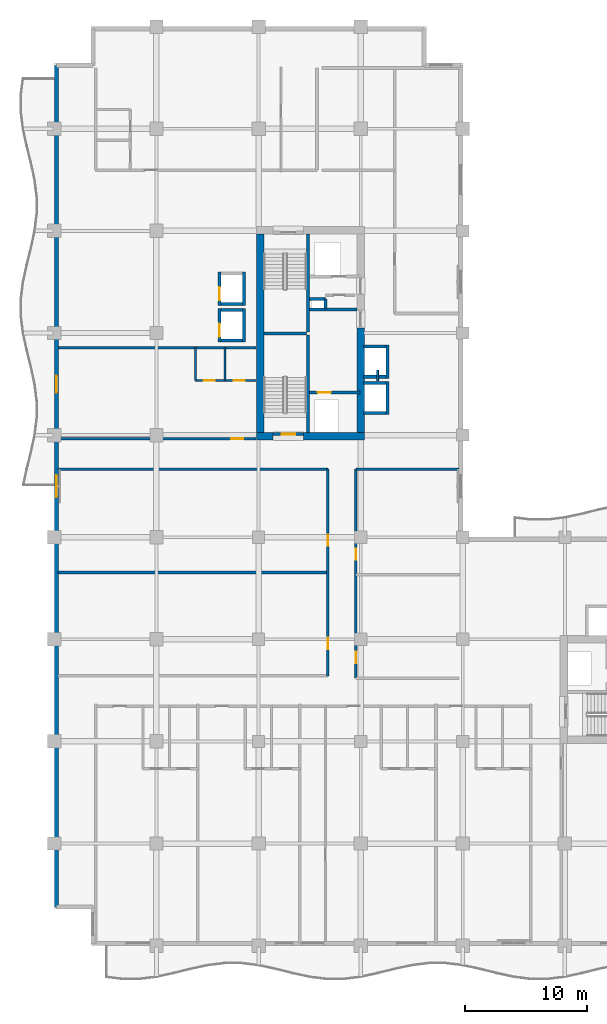
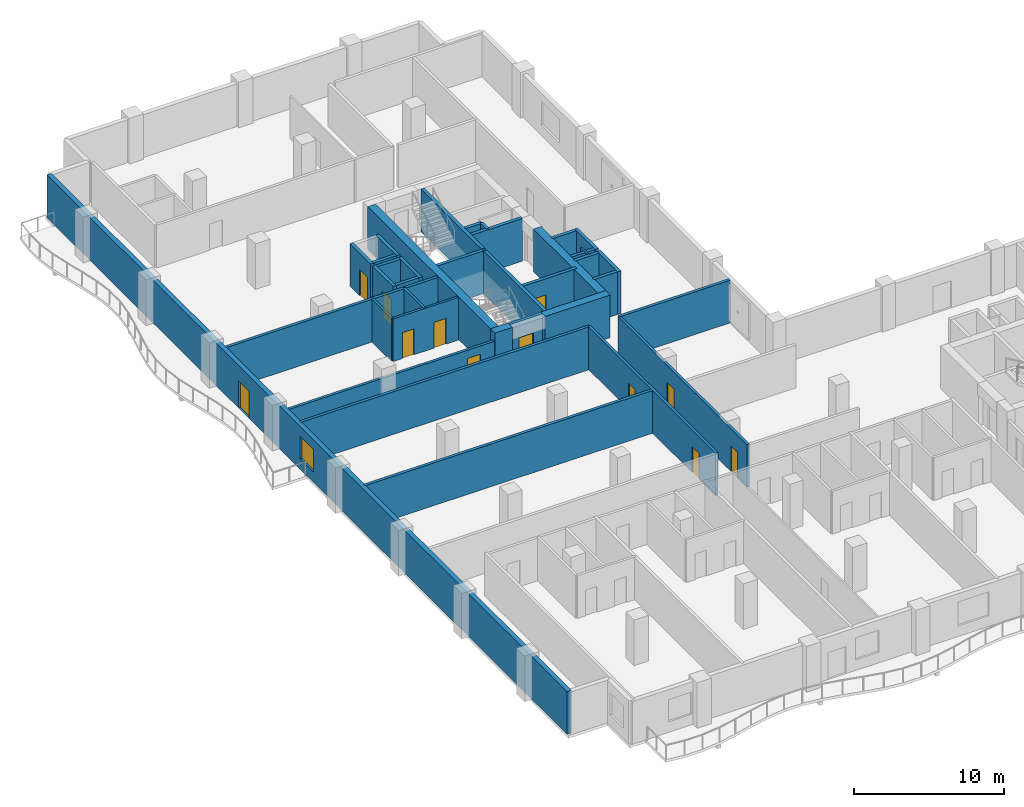
# One storey, part 6 of 14: 37 walls, 12 doors, 1 window, 13 openings.
"""IFC4 building model written with IfcOpenShell, lengths in metres."""

from ifc_helpers import new_model, si_unit, direction, frame, frame_2d, origin, place, context, subcontext, project, spatial, rectangle, extrude, material, layer, layer_set, type_object, element, fill, save


model = new_model("IFC4")

# Units and contexts
model_context = context("Model", 3, precision=1e-05, world=origin(), true_north=direction((0.0, 1.0)))
body_context = subcontext(model_context, "Body", "Model", "MODEL_VIEW")
ifc_project = project(units=[si_unit("LENGTHUNIT", "METRE"), si_unit("AREAUNIT", "SQUARE_METRE"), si_unit("VOLUMEUNIT", "CUBIC_METRE"), si_unit("PLANEANGLEUNIT", "RADIAN"), si_unit("MASSUNIT", "GRAM", prefix="KILO")], contexts=[model_context])

# Site, building, storey
site_placement = place(None, origin())
site = spatial("IfcSite", under=ifc_project, at=site_placement, CompositionType="ELEMENT")
building_placement = place(site_placement, origin())
building = spatial("IfcBuilding", under=site, at=building_placement, Name="Koriwani Terraces Tower", CompositionType="ELEMENT")
storey_placement = place(building_placement, frame((0.0, 0.0, 208.699951171875)))
storey = spatial("IfcBuildingStorey", under=building, at=storey_placement, Name="L51", CompositionType="ELEMENT", Elevation=208.699951171875)

# Walls
ifc_material_1 = material(Name="Concrete C60/75", Category="concrete")
ifc_layer_1 = layer(ifc_material_1, 0.60009765625, Name="Concrete C60/75")
ifc_layer_set_1 = layer_set([ifc_layer_1], Name="Concrete C60/75")
wall_type_1 = type_object("IfcWallType", Name="WALL_CORE_RC_600", PredefinedType="SHEAR", material=ifc_layer_set_1)
wall_1_placement = place(storey_placement, frame((16.64990234375, 41.89990234375, 0.0), z_axis=(0.0, 0.0, 1.0), x_axis=(1.0, 0.0, 0.0)))
element("IfcWall", 1, at=wall_1_placement, inside=storey, type_object=wall_type_1, Name="L51 West Split Core Shear Wall S1", PredefinedType="SHEAR", context=body_context, shape_type="SweptSolid", body=[
    extrude(rectangle(XDim=1.35009765625, YDim=0.60009765625, at=frame_2d((0.675048828125, 0.0))), origin(), (0.0, 0.0, 1.0), 3.469970703125),
])
wall_2_placement = place(storey_placement, frame((20.5, 41.89990234375, 0.0), z_axis=(0.0, 0.0, 1.0), x_axis=(1.0, 0.0, 0.0)))
element("IfcWall", 2, at=wall_2_placement, inside=storey, type_object=wall_type_1, Name="L51 West Split Core Shear Wall S2", PredefinedType="SHEAR", context=body_context, shape_type="SweptSolid", body=[
    extrude(rectangle(XDim=5.0, YDim=0.60009765625, at=frame_2d((2.5, 0.0))), origin(), (0.0, 0.0, 1.0), 3.469970703125),
])
wall_3_placement = place(storey_placement, frame((16.949951171875, 42.199951171875, 0.0), z_axis=(0.0, 0.0, 1.0), x_axis=(0.0, 1.0, 0.0)))
element("IfcWall", 3, at=wall_3_placement, inside=storey, type_object=wall_type_1, Name="L51 West Split Core Shear Wall W1", PredefinedType="SHEAR", context=body_context, shape_type="SweptSolid", body=[
    extrude(rectangle(XDim=16.35009765625, YDim=0.60009765625, at=frame_2d((8.175048828125, 0.0))), origin(), (0.0, 0.0, 1.0), 3.469970703125),
])
wall_4_placement = place(storey_placement, frame((25.199951171875, 42.199951171875, 0.0), z_axis=(0.0, 0.0, 1.0), x_axis=(0.0, 1.0, 0.0)))
element("IfcWall", 4, at=wall_4_placement, inside=storey, type_object=wall_type_1, Name="L51 West Split Core Shear Wall E1", PredefinedType="SHEAR", context=body_context, shape_type="SweptSolid", body=[
    extrude(rectangle(XDim=8.60009765625, YDim=0.60009765625, at=frame_2d((4.300048828125, 0.0))), origin(), (0.0, 0.0, 1.0), 3.469970703125),
])

# Wall, opening, door
ifc_material_2 = material(Name="Autoclaved Cellular Concrete Blockwork", Category="masonry")
ifc_layer_2 = layer(ifc_material_2, 0.199951171875, Name="Autoclaved Cellular Concrete Blockwork")
ifc_layer_set_2 = layer_set([ifc_layer_2], Name="Autoclaved Cellular Concrete Blockwork")
wall_type_2 = type_object("IfcWallType", Name="WALL_CORRIDOR_200", PredefinedType="PARTITIONING", material=ifc_layer_set_2)
wall_5_placement = place(storey_placement, frame((0.35009765625, 41.699951171875, 0.0), z_axis=(0.0, 0.0, 1.0), x_axis=(1.0, 0.0, 0.0)))
wall_5 = element("IfcWall", 5, at=wall_5_placement, inside=storey, type_object=wall_type_2, Name="L51 Interior Wall WREC-WS-L51", PredefinedType="PARTITIONING", context=body_context, shape_type="SweptSolid", body=[
    extrude(rectangle(XDim=16.25, YDim=0.199951171875, at=frame_2d((8.125, 0.0))), origin(), (0.0, 0.0, 1.0), 2.820068359375),
])
opening_1_placement = place(wall_5_placement, frame((14.199951171875, 0.0, 0.0)))
opening_1 = element("IfcOpeningElement", 6, at=opening_1_placement, cuts=wall_5, Name="Opening D-05", PredefinedType="OPENING", context=body_context, shape_type="SweptSolid", body=[
    extrude(rectangle(XDim=1.0, YDim=2.14990234375, at=frame_2d((0.5, 1.074951171875))), frame((0.0, 0.10986328125, 0.0), z_axis=(0.0, -1.0, 0.0), x_axis=(1.0, 0.0, 0.0)), (0.0, 0.0, 1.0), 0.219970703125),
])
ifc_material_3 = material(Name="Architectural Oak Fire Door", Category="wood")
door_type_1 = type_object("IfcDoorType", Name="DOOR_SUITE_ENTRY_1000X2150", OperationType="NOTDEFINED", PredefinedType="DOOR", material=ifc_material_3)
door_1_placement = place(opening_1_placement, origin())
door_1 = element("IfcDoor", 7, at=door_1_placement, inside=storey, type_object=door_type_1, Name="L51 Reclaimed West Suite Door", OperationType="SINGLE_SWING_LEFT", OverallHeight=2.14990234375, OverallWidth=1.0, PredefinedType="DOOR", context=body_context, shape_type="SweptSolid", body=[
    extrude(rectangle(XDim=1.0, YDim=2.14990234375, at=frame_2d((0.5, 1.074951171875))), frame((0.0, 0.02490234375, 0.0), z_axis=(0.0, -1.0, 0.0), x_axis=(1.0, 0.0, 0.0)), (0.0, 0.0, 1.0), 0.050048828125),
])
fill(opening_1, door_1)

# Wall, openings, doors
wall_6_placement = place(storey_placement, frame((24.800048828125, 22.0, 0.0), z_axis=(0.0, 0.0, 1.0), x_axis=(0.0, 1.0, 0.0)))
wall_6 = element("IfcWall", 8, at=wall_6_placement, inside=storey, type_object=wall_type_2, Name="L51 Interior Wall WIC2-W-L51", PredefinedType="PARTITIONING", context=body_context, shape_type="SweptSolid", body=[
    extrude(rectangle(XDim=17.199951171875, YDim=0.199951171875, at=frame_2d((8.60009765625, 0.0))), origin(), (0.0, 0.0, 1.0), 3.469970703125),
])
opening_2_placement = place(wall_6_placement, frame((1.25, 0.0, 0.0)))
opening_2 = element("IfcOpeningElement", 9, at=opening_2_placement, cuts=wall_6, Name="Opening D-06", PredefinedType="OPENING", context=body_context, shape_type="SweptSolid", body=[
    extrude(rectangle(XDim=0.919921875, YDim=2.10009765625, at=frame_2d((0.4599609375, 1.050048828125))), frame((0.0, 0.10986328125, 0.0), z_axis=(0.0, -1.0, 0.0), x_axis=(1.0, 0.0, 0.0)), (0.0, 0.0, 1.0), 0.219970703125),
])
opening_3_placement = place(wall_6_placement, frame((9.75, 0.0, 0.0)))
opening_3 = element("IfcOpeningElement", 10, at=opening_3_placement, cuts=wall_6, Name="Opening D-06", PredefinedType="OPENING", context=body_context, shape_type="SweptSolid", body=[
    extrude(rectangle(XDim=0.919921875, YDim=2.10009765625, at=frame_2d((0.4599609375, 1.050048828125))), frame((0.0, 0.10986328125, 0.0), z_axis=(0.0, -1.0, 0.0), x_axis=(1.0, 0.0, 0.0)), (0.0, 0.0, 1.0), 0.219970703125),
])
door_type_2 = type_object("IfcDoorType", Name="DOOR_ROOM_INT_920X2100", OperationType="NOTDEFINED", PredefinedType="DOOR", material=ifc_material_3)
door_2_placement = place(opening_2_placement, origin())
door_2 = element("IfcDoor", 11, at=door_2_placement, inside=storey, type_object=door_type_2, Name="L51 Inner Court Salon Door", OperationType="SINGLE_SWING_LEFT", OverallHeight=2.10009765625, OverallWidth=0.919921875, PredefinedType="DOOR", context=body_context, shape_type="SweptSolid", body=[
    extrude(rectangle(XDim=0.919921875, YDim=2.10009765625, at=frame_2d((0.4599609375, 1.050048828125))), frame((0.0, 0.02490234375, 0.0), z_axis=(0.0, -1.0, 0.0), x_axis=(1.0, 0.0, 0.0)), (0.0, 0.0, 1.0), 0.050048828125),
])
fill(opening_2, door_2)
door_3_placement = place(opening_3_placement, origin())
door_3 = element("IfcDoor", 12, at=door_3_placement, inside=storey, type_object=door_type_2, Name="L51 Inner Court Media Room Door", OperationType="SINGLE_SWING_RIGHT", OverallHeight=2.10009765625, OverallWidth=0.919921875, PredefinedType="DOOR", context=body_context, shape_type="SweptSolid", body=[
    extrude(rectangle(XDim=0.919921875, YDim=2.10009765625, at=frame_2d((0.4599609375, 1.050048828125))), frame((0.0, 0.02490234375, 0.0), z_axis=(0.0, -1.0, 0.0), x_axis=(1.0, 0.0, 0.0)), (0.0, 0.0, 1.0), 0.050048828125),
])
fill(opening_3, door_3)

wall_7_placement = place(storey_placement, frame((22.5, 22.199951171875, 0.0), z_axis=(0.0, 0.0, 1.0), x_axis=(0.0, 1.0, 0.0)))
wall_7 = element("IfcWall", 13, at=wall_7_placement, inside=storey, type_object=wall_type_2, Name="L51 Interior Wall WNW3CL-L51", PredefinedType="PARTITIONING", context=body_context, shape_type="SweptSolid", body=[
    extrude(rectangle(XDim=17.0, YDim=0.199951171875, at=frame_2d((8.5, 0.0))), origin(), (0.0, 0.0, 1.0), 3.469970703125),
])
opening_4_placement = place(wall_7_placement, frame((2.199951171875, 0.0, 0.0)))
opening_4 = element("IfcOpeningElement", 14, at=opening_4_placement, cuts=wall_7, Name="Opening D-06", PredefinedType="OPENING", context=body_context, shape_type="SweptSolid", body=[
    extrude(rectangle(XDim=0.919921875, YDim=2.10009765625, at=frame_2d((0.4599609375, 1.050048828125))), frame((0.0, 0.10986328125, 0.0), z_axis=(0.0, -1.0, 0.0), x_axis=(1.0, 0.0, 0.0)), (0.0, 0.0, 1.0), 0.219970703125),
])
opening_5_placement = place(wall_7_placement, frame((10.699951171875, 0.0, 0.0)))
opening_5 = element("IfcOpeningElement", 15, at=opening_5_placement, cuts=wall_7, Name="Opening D-06", PredefinedType="OPENING", context=body_context, shape_type="SweptSolid", body=[
    extrude(rectangle(XDim=0.919921875, YDim=2.10009765625, at=frame_2d((0.4599609375, 1.050048828125))), frame((0.0, 0.10986328125, 0.0), z_axis=(0.0, -1.0, 0.0), x_axis=(1.0, 0.0, 0.0)), (0.0, 0.0, 1.0), 0.219970703125),
])
door_4_placement = place(opening_4_placement, origin())
door_4 = element("IfcDoor", 16, at=door_4_placement, inside=storey, type_object=door_type_2, Name="L51 Resident Wellness Studio Door", OperationType="SINGLE_SWING_RIGHT", OverallHeight=2.10009765625, OverallWidth=0.919921875, PredefinedType="DOOR", context=body_context, shape_type="SweptSolid", body=[
    extrude(rectangle(XDim=0.919921875, YDim=2.10009765625, at=frame_2d((0.4599609375, 1.050048828125))), frame((0.0, 0.02490234375, 0.0), z_axis=(0.0, -1.0, 0.0), x_axis=(1.0, 0.0, 0.0)), (0.0, 0.0, 1.0), 0.050048828125),
])
fill(opening_4, door_4)
door_5_placement = place(opening_5_placement, origin())
door_5 = element("IfcDoor", 17, at=door_5_placement, inside=storey, type_object=door_type_2, Name="L51 Resident Cinema Lounge Door", OperationType="SINGLE_SWING_LEFT", OverallHeight=2.10009765625, OverallWidth=0.919921875, PredefinedType="DOOR", context=body_context, shape_type="SweptSolid", body=[
    extrude(rectangle(XDim=0.919921875, YDim=2.10009765625, at=frame_2d((0.4599609375, 1.050048828125))), frame((0.0, 0.02490234375, 0.0), z_axis=(0.0, -1.0, 0.0), x_axis=(1.0, 0.0, 0.0)), (0.0, 0.0, 1.0), 0.050048828125),
])
fill(opening_5, door_5)

# Walls
ifc_layer_3 = layer(ifc_material_2, 0.219970703125, Name="Autoclaved Cellular Concrete Blockwork")
ifc_layer_set_3 = layer_set([ifc_layer_3], Name="Autoclaved Cellular Concrete Blockwork")
wall_type_3 = type_object("IfcWallType", Name="WALL_DEMISING_220", PredefinedType="PARTITIONING", material=ifc_layer_set_3)
wall_8_placement = place(storey_placement, frame((0.35009765625, 49.199951171875, 0.0), z_axis=(0.0, 0.0, 1.0), x_axis=(1.0, 0.0, 0.0)))
element("IfcWall", 18, at=wall_8_placement, inside=storey, type_object=wall_type_3, Name="L51 Interior Wall WREC-WN-L51", PredefinedType="PARTITIONING", context=body_context, shape_type="SweptSolid", body=[
    extrude(rectangle(XDim=16.25, YDim=0.219970703125, at=frame_2d((8.125, 0.0))), origin(), (0.0, 0.0, 1.0), 3.469970703125),
])
wall_9_placement = place(storey_placement, frame((24.800048828125, 39.199951171875, 0.0), z_axis=(0.0, 0.0, 1.0), x_axis=(1.0, 0.0, 0.0)))
element("IfcWall", 19, at=wall_9_placement, inside=storey, type_object=wall_type_3, Name="L51 Interior Wall WIC2-N-L51", PredefinedType="PARTITIONING", context=body_context, shape_type="SweptSolid", body=[
    extrude(rectangle(XDim=8.5, YDim=0.219970703125, at=frame_2d((4.25, 0.0))), origin(), (0.0, 0.0, 1.0), 3.469970703125),
])
for number, where, z_axis, x_axis, name in (
    (20, (0.300048828125, 30.699951171875, 0.0), (0.0, 0.0, 1.0), (1.0, 0.0, 0.0), "L51 Interior Wall WNW3M-L51"),
    (21, (0.300048828125, 39.199951171875, 0.0), (0.0, 0.0, 1.0), (1.0, 0.0, 0.0), "L51 Interior Wall WNW3N-L51"),
):
    element("IfcWall", number, at=place(storey_placement, frame(where, z_axis=z_axis, x_axis=x_axis)), inside=storey, type_object=wall_type_3, Name=name, PredefinedType="PARTITIONING", context=body_context, shape_type="SweptSolid", body=[
        extrude(rectangle(XDim=22.199951171875, YDim=0.219970703125, at=frame_2d((11.10009765625, 0.0))), origin(), (0.0, 0.0, 1.0), 3.469970703125),
    ])

# Wall, openings, door, window
ifc_material_4 = material(Name="Concrete C50/60", Category="concrete")
ifc_layer_4 = layer(ifc_material_4, 0.35009765625, Name="Concrete C50/60")
ifc_layer_set_4 = layer_set([ifc_layer_4], Name="Concrete C50/60")
wall_type_4 = type_object("IfcWallType", Name="WALL_EXT_BRUTALIST_350", PredefinedType="STANDARD", material=ifc_layer_set_4)
wall_10_placement = place(storey_placement, frame((0.175048828125, 3.175048828125, 0.0), z_axis=(0.0, 0.0, 1.0), x_axis=(0.0, 1.0, 0.0)))
wall_10 = element("IfcWall", 22, at=wall_10_placement, inside=storey, type_object=wall_type_4, Name="L51 Fair-Faced Brutalist Exterior Wall (W)", PredefinedType="STANDARD", context=body_context, shape_type="SweptSolid", body=[
    extrude(rectangle(XDim=69.25, YDim=0.35009765625, at=frame_2d((34.625, 0.0))), origin(), (0.0, 0.0, 1.0), 3.469970703125),
])
opening_6_placement = place(wall_10_placement, frame((42.324951171875, 0.0, 0.0)))
opening_6 = element("IfcOpeningElement", 23, at=opening_6_placement, cuts=wall_10, Name="Opening D-09", PredefinedType="OPENING", context=body_context, shape_type="SweptSolid", body=[
    extrude(rectangle(XDim=1.39990234375, YDim=2.199951171875, at=frame_2d((0.699951171875, 1.10009765625))), frame((0.0, 0.18505859375, 0.0), z_axis=(0.0, -1.0, 0.0), x_axis=(1.0, 0.0, 0.0)), (0.0, 0.0, 1.0), 0.3701171875),
])
opening_7_placement = place(wall_10_placement, frame((33.72509765625, 0.0, 0.85009765625)))
opening_7 = element("IfcOpeningElement", 24, at=opening_7_placement, cuts=wall_10, Name="Opening W-04", PredefinedType="OPENING", context=body_context, shape_type="SweptSolid", body=[
    extrude(rectangle(XDim=1.800048828125, YDim=1.800048828125, at=frame_2d((0.89990234375, 0.89990234375))), frame((0.0, 0.18505859375, 0.0), z_axis=(0.0, -1.0, 0.0), x_axis=(1.0, 0.0, 0.0)), (0.0, 0.0, 1.0), 0.3701171875),
])
ifc_material_5 = material(Name="Anodised Bronze Aluminium", Category="aluminium")
door_type_3 = type_object("IfcDoorType", Name="DOOR_BALCONY_GLAZED_1400X2200", OperationType="NOTDEFINED", PredefinedType="DOOR", material=ifc_material_5)
door_6_placement = place(opening_6_placement, origin())
door_6 = element("IfcDoor", 25, at=door_6_placement, inside=storey, type_object=door_type_3, Name="L51 West Balcony Glazed Door", OperationType="SINGLE_SWING_LEFT", OverallHeight=2.199951171875, OverallWidth=1.39990234375, PredefinedType="DOOR", context=body_context, shape_type="SweptSolid", body=[
    extrude(rectangle(XDim=1.39990234375, YDim=2.199951171875, at=frame_2d((0.699951171875, 1.10009765625))), frame((0.0, 0.02490234375, 0.0), z_axis=(0.0, -1.0, 0.0), x_axis=(1.0, 0.0, 0.0)), (0.0, 0.0, 1.0), 0.050048828125),
])
fill(opening_6, door_6)
ifc_material_6 = material(Name="Tempered Laminated Low-E Glass", Category="glass")
window_type = type_object("IfcWindowType", Name="WIN_RES_BED_1800X1800", PartitioningType="DOUBLE_PANEL_VERTICAL", PredefinedType="WINDOW", material=ifc_material_6)
window_placement = place(opening_7_placement, origin())
window = element("IfcWindow", 26, at=window_placement, inside=storey, type_object=window_type, Name="L51 Exterior Window (W-12)", OverallHeight=1.800048828125, OverallWidth=1.800048828125, PartitioningType="SINGLE_PANEL", PredefinedType="WINDOW", context=body_context, shape_type="SweptSolid", body=[
    extrude(rectangle(XDim=1.800048828125, YDim=1.800048828125, at=frame_2d((0.89990234375, 0.89990234375))), frame((0.0, 0.030029296875, 0.0), z_axis=(0.0, -1.0, 0.0), x_axis=(1.0, 0.0, 0.0)), (0.0, 0.0, 1.0), 0.06005859375),
])
fill(opening_7, window)

# Wall, openings, doors
ifc_material_7 = material(Name="Fire-Rated Acoustic Gypsum Partition", Category="masonry")
ifc_layer_5 = layer(ifc_material_7, 0.179931640625, Name="Fire-Rated Acoustic Gypsum Partition")
ifc_layer_set_5 = layer_set([ifc_layer_5], Name="Fire-Rated Acoustic Gypsum Partition")
wall_type_5 = type_object("IfcWallType", Name="WALL_PLUMBING_180", PredefinedType="PLUMBINGWALL", material=ifc_layer_set_5)
wall_11_placement = place(storey_placement, frame((11.60009765625, 46.5, 0.0), z_axis=(0.0, 0.0, 1.0), x_axis=(1.0, 0.0, 0.0)))
wall_11 = element("IfcWall", 27, at=wall_11_placement, inside=storey, type_object=wall_type_5, Name="L51 Interior Wall WREC-WBB-L51", PredefinedType="PLUMBINGWALL", context=body_context, shape_type="SweptSolid", body=[
    extrude(rectangle(XDim=5.0, YDim=0.179931640625, at=frame_2d((2.5, 0.0))), origin(), (0.0, 0.0, 1.0), 3.469970703125),
])
opening_8_placement = place(wall_11_placement, frame((0.699951171875, 0.0, 0.0)))
opening_8 = element("IfcOpeningElement", 28, at=opening_8_placement, cuts=wall_11, Name="Opening D-07", PredefinedType="OPENING", context=body_context, shape_type="SweptSolid", body=[
    extrude(rectangle(XDim=0.89990234375, YDim=2.10009765625, at=frame_2d((0.449951171875, 1.050048828125))), frame((0.0, 0.10009765625, 0.0), z_axis=(0.0, -1.0, 0.0), x_axis=(1.0, 0.0, 0.0)), (0.0, 0.0, 1.0), 0.199951171875),
])
opening_9_placement = place(wall_11_placement, frame((3.14990234375, 0.0, 0.0)))
opening_9 = element("IfcOpeningElement", 29, at=opening_9_placement, cuts=wall_11, Name="Opening D-06", PredefinedType="OPENING", context=body_context, shape_type="SweptSolid", body=[
    extrude(rectangle(XDim=0.919921875, YDim=2.10009765625, at=frame_2d((0.4599609375, 1.050048828125))), frame((0.0, 0.10009765625, 0.0), z_axis=(0.0, -1.0, 0.0), x_axis=(1.0, 0.0, 0.0)), (0.0, 0.0, 1.0), 0.199951171875),
])
door_type_4 = type_object("IfcDoorType", Name="DOOR_BATH_INT_900X2100", OperationType="NOTDEFINED", PredefinedType="DOOR", material=ifc_material_3)
door_7_placement = place(opening_8_placement, origin())
door_7 = element("IfcDoor", 30, at=door_7_placement, inside=storey, type_object=door_type_4, Name="Apartment 51RW Bathroom Door", OperationType="SINGLE_SWING_RIGHT", OverallHeight=2.10009765625, OverallWidth=0.89990234375, PredefinedType="DOOR", context=body_context, shape_type="SweptSolid", body=[
    extrude(rectangle(XDim=0.89990234375, YDim=2.10009765625, at=frame_2d((0.449951171875, 1.050048828125))), frame((0.0, 0.02490234375, 0.0), z_axis=(0.0, -1.0, 0.0), x_axis=(1.0, 0.0, 0.0)), (0.0, 0.0, 1.0), 0.050048828125),
])
fill(opening_8, door_7)
door_8_placement = place(opening_9_placement, origin())
door_8 = element("IfcDoor", 31, at=door_8_placement, inside=storey, type_object=door_type_2, Name="Apartment 51RW Kitchen Door", OperationType="SINGLE_SWING_LEFT", OverallHeight=2.10009765625, OverallWidth=0.919921875, PredefinedType="DOOR", context=body_context, shape_type="SweptSolid", body=[
    extrude(rectangle(XDim=0.919921875, YDim=2.10009765625, at=frame_2d((0.4599609375, 1.050048828125))), frame((0.0, 0.02490234375, 0.0), z_axis=(0.0, -1.0, 0.0), x_axis=(1.0, 0.0, 0.0)), (0.0, 0.0, 1.0), 0.050048828125),
])
fill(opening_9, door_8)

# Walls
for number, where, z_axis, x_axis, name in (
    (32, (11.60009765625, 46.5, 0.0), (0.0, 0.0, 1.0), (0.0, 1.0, 0.0), "L51 Interior Wall WREC-WB2-L51"),
    (33, (14.050048828125, 46.5, 0.0), (0.0, 0.0, 1.0), (0.0, 1.0, 0.0), "L51 Interior Wall WREC-WB3-L51"),
):
    element("IfcWall", number, at=place(storey_placement, frame(where, z_axis=z_axis, x_axis=x_axis)), inside=storey, type_object=wall_type_5, Name=name, PredefinedType="PLUMBINGWALL", context=body_context, shape_type="SweptSolid", body=[
        extrude(rectangle(XDim=2.699951171875, YDim=0.179931640625, at=frame_2d((1.35009765625, 0.0))), origin(), (0.0, 0.0, 1.0), 3.469970703125),
    ])
ifc_material_8 = material(Name="Concrete C40/50", Category="concrete")
ifc_layer_6 = layer(ifc_material_8, 0.25, Name="Concrete C40/50")
ifc_layer_set_6 = layer_set([ifc_layer_6], Name="Concrete C40/50")
wall_type_6 = type_object("IfcWallType", Name="WALL_SHAFT_RATED_250", PredefinedType="SOLIDWALL", material=ifc_layer_set_6)
for number, where, z_axis, x_axis, name in (
    (34, (20.875, 42.199951171875, 0.0), (0.0, 0.0, 1.0), (0.0, 1.0, 0.0), "L51 West Split Core Web Wall MID1"),
    (35, (20.875, 50.5, 0.0), (0.0, 0.0, 1.0), (0.0, 1.0, 0.0), "L51 West Split Core Web Wall MID2"),
):
    element("IfcWall", number, at=place(storey_placement, frame(where, z_axis=z_axis, x_axis=x_axis)), inside=storey, type_object=wall_type_6, Name=name, PredefinedType="SOLIDWALL", context=body_context, shape_type="SweptSolid", body=[
        extrude(rectangle(XDim=8.050048828125, YDim=0.25, at=frame_2d((4.02490234375, 0.0))), origin(), (0.0, 0.0, 1.0), 3.469970703125),
    ])
wall_12_placement = place(storey_placement, frame((17.25, 50.375, 0.0), z_axis=(0.0, 0.0, 1.0), x_axis=(1.0, 0.0, 0.0)))
element("IfcWall", 36, at=wall_12_placement, inside=storey, type_object=wall_type_6, Name="L51 West Split Core Stair Dividing Wall", PredefinedType="SOLIDWALL", context=body_context, shape_type="SweptSolid", body=[
    extrude(rectangle(XDim=3.5, YDim=0.25, at=frame_2d((1.75, 0.0))), origin(), (0.0, 0.0, 1.0), 3.469970703125),
])

# Wall, opening, door
wall_13_placement = place(storey_placement, frame((18.0, 42.074951171875, 0.0), z_axis=(0.0, 0.0, 1.0), x_axis=(1.0, 0.0, 0.0)))
wall_13 = element("IfcWall", 37, at=wall_13_placement, inside=storey, type_object=wall_type_6, Name="L51 Interior Wall WIN-CW-L51-STS", PredefinedType="SOLIDWALL", context=body_context, shape_type="SweptSolid", body=[
    extrude(rectangle(XDim=2.5, YDim=0.25, at=frame_2d((1.25, 0.0))), origin(), (0.0, 0.0, 1.0), 3.469970703125),
])
opening_10_placement = place(wall_13_placement, frame((0.699951171875, 0.0, 0.0)))
opening_10 = element("IfcOpeningElement", 38, at=opening_10_placement, cuts=wall_13, Name="Opening D-03", PredefinedType="OPENING", context=body_context, shape_type="SweptSolid", body=[
    extrude(rectangle(XDim=1.10009765625, YDim=2.14990234375, at=frame_2d((0.550048828125, 1.074951171875))), frame((0.0, 0.135009765625, 0.0), z_axis=(0.0, -1.0, 0.0), x_axis=(1.0, 0.0, 0.0)), (0.0, 0.0, 1.0), 0.27001953125),
])
ifc_material_9 = material(Name="Steel ASTM A572 Grade 50", Category="steel")
door_type_5 = type_object("IfcDoorType", Name="DOOR_STAIR_FIRE_1100X2150", OperationType="NOTDEFINED", PredefinedType="DOOR", material=ifc_material_9)
door_9_placement = place(opening_10_placement, origin())
door_9 = element("IfcDoor", 39, at=door_9_placement, inside=storey, type_object=door_type_5, Name="L51 Exit Stair ST-W1 Door", OperationType="SINGLE_SWING_LEFT", OverallHeight=2.14990234375, OverallWidth=1.10009765625, PredefinedType="DOOR", context=body_context, shape_type="SweptSolid", body=[
    extrude(rectangle(XDim=1.10009765625, YDim=2.14990234375, at=frame_2d((0.550048828125, 1.074951171875))), frame((0.0, 0.02490234375, 0.0), z_axis=(0.0, -1.0, 0.0), x_axis=(1.0, 0.0, 0.0)), (0.0, 0.0, 1.0), 0.050048828125),
])
fill(opening_10, door_9)

wall_14_placement = place(storey_placement, frame((21.0, 45.5, 0.0), z_axis=(0.0, 0.0, 1.0), x_axis=(1.0, 0.0, 0.0)))
wall_14 = element("IfcWall", 40, at=wall_14_placement, inside=storey, type_object=wall_type_6, Name="L51 Interior Wall WIN-CW-L51-FE", PredefinedType="SOLIDWALL", context=body_context, shape_type="SweptSolid", body=[
    extrude(rectangle(XDim=4.14990234375, YDim=0.25, at=frame_2d((2.074951171875, 0.0))), origin(), (0.0, 0.0, 1.0), 3.469970703125),
])
opening_11_placement = place(wall_14_placement, frame((0.64990234375, 0.0, 0.0)))
opening_11 = element("IfcOpeningElement", 41, at=opening_11_placement, cuts=wall_14, Name="Opening LD-01", PredefinedType="OPENING", context=body_context, shape_type="SweptSolid", body=[
    extrude(rectangle(XDim=1.10009765625, YDim=2.14990234375, at=frame_2d((0.550048828125, 1.074951171875))), frame((0.0, 0.135009765625, 0.0), z_axis=(0.0, -1.0, 0.0), x_axis=(1.0, 0.0, 0.0)), (0.0, 0.0, 1.0), 0.27001953125),
])
door_type_6 = type_object("IfcDoorType", Name="DOOR_LIFT_LANDING_1100X2200", OperationType="NOTDEFINED", PredefinedType="DOOR", material=ifc_material_9)
door_10_placement = place(opening_11_placement, origin())
door_10 = element("IfcDoor", 42, at=door_10_placement, inside=storey, type_object=door_type_6, Name="L51 Firefighting Lift FE-01 Landing Door", OperationType="SLIDING_TO_LEFT", OverallHeight=2.14990234375, OverallWidth=1.10009765625, PredefinedType="DOOR", context=body_context, shape_type="SweptSolid", body=[
    extrude(rectangle(XDim=1.10009765625, YDim=2.14990234375, at=frame_2d((0.550048828125, 1.074951171875))), frame((0.0, 0.02490234375, 0.0), z_axis=(0.0, -1.0, 0.0), x_axis=(1.0, 0.0, 0.0)), (0.0, 0.0, 1.0), 0.050048828125),
])
fill(opening_11, door_10)

# Walls
wall_15_placement = place(storey_placement, frame((21.0, 52.340087890625, 0.0), z_axis=(0.0, 0.0, 1.0), x_axis=(1.0, 0.0, 0.0)))
element("IfcWall", 43, at=wall_15_placement, inside=storey, type_object=wall_type_6, Name="L51 Interior Wall WIN-CW-L51-FFN", PredefinedType="SOLIDWALL", context=body_context, shape_type="SweptSolid", body=[
    extrude(rectangle(XDim=3.89990234375, YDim=0.25, at=frame_2d((1.949951171875, 0.0))), origin(), (0.0, 0.0, 1.0), 3.469970703125),
])
wall_16_placement = place(storey_placement, frame((21.0, 53.199951171875, 0.0), z_axis=(0.0, 0.0, 1.0), x_axis=(1.0, 0.0, 0.0)))
element("IfcWall", 44, at=wall_16_placement, inside=storey, type_object=wall_type_6, Name="L51 Interior Wall WIN-CW-L51-RS1", PredefinedType="SOLIDWALL", context=body_context, shape_type="SweptSolid", body=[
    extrude(rectangle(XDim=1.300048828125, YDim=0.25, at=frame_2d((0.64990234375, 0.0))), origin(), (0.0, 0.0, 1.0), 3.469970703125),
])
wall_17_placement = place(storey_placement, frame((22.300048828125, 52.360107421875, 0.0), z_axis=(0.0, 0.0, 1.0), x_axis=(0.0, 1.0, 0.0)))
element("IfcWall", 45, at=wall_17_placement, inside=storey, type_object=wall_type_6, Name="L51 Interior Wall WIN-CW-L51-RS2", PredefinedType="SOLIDWALL", context=body_context, shape_type="SweptSolid", body=[
    extrude(rectangle(XDim=0.83984375, YDim=0.25, at=frame_2d((0.419921875, 0.0))), origin(), (0.0, 0.0, 1.0), 3.469970703125),
])

# Wall, opening, door
wall_18_placement = place(storey_placement, frame((13.60009765625, 49.675048828125, 0.0), z_axis=(0.0, 0.0, 1.0), x_axis=(0.0, 1.0, 0.0)))
wall_18 = element("IfcWall", 46, at=wall_18_placement, inside=storey, type_object=wall_type_6, Name="L51 Interior Wall WIN-LF-PE-M1-L51-F", PredefinedType="SOLIDWALL", context=body_context, shape_type="SweptSolid", body=[
    extrude(rectangle(XDim=2.75, YDim=0.25, at=frame_2d((1.375, 0.0))), origin(), (0.0, 0.0, 1.0), 3.469970703125),
])
opening_12_placement = place(wall_18_placement, frame((0.39990234375, 0.0, 0.0)))
opening_12 = element("IfcOpeningElement", 47, at=opening_12_placement, cuts=wall_18, Name="Opening LD-01", PredefinedType="OPENING", context=body_context, shape_type="SweptSolid", body=[
    extrude(rectangle(XDim=1.10009765625, YDim=2.14990234375, at=frame_2d((0.550048828125, 1.074951171875))), frame((0.0, 0.135009765625, 0.0), z_axis=(0.0, -1.0, 0.0), x_axis=(1.0, 0.0, 0.0)), (0.0, 0.0, 1.0), 0.27001953125),
])
door_11_placement = place(opening_12_placement, origin())
door_11 = element("IfcDoor", 48, at=door_11_placement, inside=storey, type_object=door_type_6, Name="L51 Passenger Lift PE-M1 Landing Door", OperationType="SLIDING_TO_LEFT", OverallHeight=2.14990234375, OverallWidth=1.10009765625, PredefinedType="DOOR", context=body_context, shape_type="SweptSolid", body=[
    extrude(rectangle(XDim=1.10009765625, YDim=2.14990234375, at=frame_2d((0.550048828125, 1.074951171875))), frame((0.0, 0.02490234375, 0.0), z_axis=(0.0, -1.0, 0.0), x_axis=(1.0, 0.0, 0.0)), (0.0, 0.0, 1.0), 0.050048828125),
])
fill(opening_12, door_11)

# Walls
wall_19_placement = place(storey_placement, frame((15.60009765625, 49.675048828125, 0.0), z_axis=(0.0, 0.0, 1.0), x_axis=(0.0, 1.0, 0.0)))
element("IfcWall", 49, at=wall_19_placement, inside=storey, type_object=wall_type_6, Name="L51 Interior Wall WIN-LF-PE-M1-L51-B", PredefinedType="SOLIDWALL", context=body_context, shape_type="SweptSolid", body=[
    extrude(rectangle(XDim=2.75, YDim=0.25, at=frame_2d((1.375, 0.0))), origin(), (0.0, 0.0, 1.0), 3.469970703125),
])
for number, where, z_axis, x_axis, name in (
    (50, (13.72509765625, 49.800048828125, 0.0), (0.0, 0.0, 1.0), (1.0, 0.0, 0.0), "L51 Interior Wall WIN-LF-PE-M1-L51-S"),
    (51, (13.72509765625, 52.300048828125, 0.0), (0.0, 0.0, 1.0), (1.0, 0.0, 0.0), "L51 Interior Wall WIN-LF-PE-M1-L51-N"),
):
    element("IfcWall", number, at=place(storey_placement, frame(where, z_axis=z_axis, x_axis=x_axis)), inside=storey, type_object=wall_type_6, Name=name, PredefinedType="SOLIDWALL", context=body_context, shape_type="SweptSolid", body=[
        extrude(rectangle(XDim=1.75, YDim=0.25, at=frame_2d((0.875, 0.0))), origin(), (0.0, 0.0, 1.0), 3.469970703125),
    ])

# Wall, opening, door
wall_20_placement = place(storey_placement, frame((13.60009765625, 52.675048828125, 0.0), z_axis=(0.0, 0.0, 1.0), x_axis=(0.0, 1.0, 0.0)))
wall_20 = element("IfcWall", 52, at=wall_20_placement, inside=storey, type_object=wall_type_6, Name="L51 Interior Wall WIN-LF-PE-M2-L51-F", PredefinedType="SOLIDWALL", context=body_context, shape_type="SweptSolid", body=[
    extrude(rectangle(XDim=2.75, YDim=0.25, at=frame_2d((1.375, 0.0))), origin(), (0.0, 0.0, 1.0), 3.469970703125),
])
opening_13_placement = place(wall_20_placement, frame((0.39990234375, 0.0, 0.0)))
opening_13 = element("IfcOpeningElement", 53, at=opening_13_placement, cuts=wall_20, Name="Opening LD-01", PredefinedType="OPENING", context=body_context, shape_type="SweptSolid", body=[
    extrude(rectangle(XDim=1.10009765625, YDim=2.14990234375, at=frame_2d((0.550048828125, 1.074951171875))), frame((0.0, 0.135009765625, 0.0), z_axis=(0.0, -1.0, 0.0), x_axis=(1.0, 0.0, 0.0)), (0.0, 0.0, 1.0), 0.27001953125),
])
door_12_placement = place(opening_13_placement, origin())
door_12 = element("IfcDoor", 54, at=door_12_placement, inside=storey, type_object=door_type_6, Name="L51 Passenger Lift PE-M2 Landing Door", OperationType="SLIDING_TO_LEFT", OverallHeight=2.14990234375, OverallWidth=1.10009765625, PredefinedType="DOOR", context=body_context, shape_type="SweptSolid", body=[
    extrude(rectangle(XDim=1.10009765625, YDim=2.14990234375, at=frame_2d((0.550048828125, 1.074951171875))), frame((0.0, 0.02490234375, 0.0), z_axis=(0.0, -1.0, 0.0), x_axis=(1.0, 0.0, 0.0)), (0.0, 0.0, 1.0), 0.050048828125),
])
fill(opening_13, door_12)

# Walls
wall_21_placement = place(storey_placement, frame((15.60009765625, 52.675048828125, 0.0), z_axis=(0.0, 0.0, 1.0), x_axis=(0.0, 1.0, 0.0)))
element("IfcWall", 55, at=wall_21_placement, inside=storey, type_object=wall_type_6, Name="L51 Interior Wall WIN-LF-PE-M2-L51-B", PredefinedType="SOLIDWALL", context=body_context, shape_type="SweptSolid", body=[
    extrude(rectangle(XDim=2.75, YDim=0.25, at=frame_2d((1.375, 0.0))), origin(), (0.0, 0.0, 1.0), 3.469970703125),
])
wall_22_placement = place(storey_placement, frame((13.72509765625, 52.800048828125, 0.0), z_axis=(0.0, 0.0, 1.0), x_axis=(1.0, 0.0, 0.0)))
element("IfcWall", 56, at=wall_22_placement, inside=storey, type_object=wall_type_6, Name="L51 Interior Wall WIN-LF-PE-M2-L51-S", PredefinedType="SOLIDWALL", context=body_context, shape_type="SweptSolid", body=[
    extrude(rectangle(XDim=1.75, YDim=0.25, at=frame_2d((0.875, 0.0))), origin(), (0.0, 0.0, 1.0), 3.469970703125),
])
wall_23_placement = place(storey_placement, frame((27.39990234375, 43.675048828125, 0.0), z_axis=(0.0, 0.0, 1.0), x_axis=(0.0, 1.0, 0.0)))
element("IfcWall", 57, at=wall_23_placement, inside=storey, type_object=wall_type_6, Name="L51 Interior Wall WIN-LF-PE-H1-L51-F", PredefinedType="SOLIDWALL", context=body_context, shape_type="SweptSolid", body=[
    extrude(rectangle(XDim=2.75, YDim=0.25, at=frame_2d((1.375, 0.0))), origin(), (0.0, 0.0, 1.0), 3.469970703125),
])
for number, where, z_axis, x_axis, name in (
    (58, (25.449951171875, 43.800048828125, 0.0), (0.0, 0.0, 1.0), (1.0, 0.0, 0.0), "L51 Interior Wall WIN-LF-PE-H1-L51-S"),
    (59, (25.449951171875, 46.300048828125, 0.0), (0.0, 0.0, 1.0), (1.0, 0.0, 0.0), "L51 Interior Wall WIN-LF-PE-H1-L51-N"),
):
    element("IfcWall", number, at=place(storey_placement, frame(where, z_axis=z_axis, x_axis=x_axis)), inside=storey, type_object=wall_type_6, Name=name, PredefinedType="SOLIDWALL", context=body_context, shape_type="SweptSolid", body=[
        extrude(rectangle(XDim=1.824951171875, YDim=0.25, at=frame_2d((0.91259765625, 0.0))), origin(), (0.0, 0.0, 1.0), 3.469970703125),
    ])
wall_24_placement = place(storey_placement, frame((27.39990234375, 46.675048828125, 0.0), z_axis=(0.0, 0.0, 1.0), x_axis=(0.0, 1.0, 0.0)))
element("IfcWall", 60, at=wall_24_placement, inside=storey, type_object=wall_type_6, Name="L51 Interior Wall WIN-LF-PE-H2-L51-F", PredefinedType="SOLIDWALL", context=body_context, shape_type="SweptSolid", body=[
    extrude(rectangle(XDim=2.75, YDim=0.25, at=frame_2d((1.375, 0.0))), origin(), (0.0, 0.0, 1.0), 3.469970703125),
])
for number, where, z_axis, x_axis, name in (
    (61, (25.449951171875, 46.800048828125, 0.0), (0.0, 0.0, 1.0), (1.0, 0.0, 0.0), "L51 Interior Wall WIN-LF-PE-H2-L51-S"),
    (62, (25.449951171875, 49.300048828125, 0.0), (0.0, 0.0, 1.0), (1.0, 0.0, 0.0), "L51 Interior Wall WIN-LF-PE-H2-L51-N"),
):
    element("IfcWall", number, at=place(storey_placement, frame(where, z_axis=z_axis, x_axis=x_axis)), inside=storey, type_object=wall_type_6, Name=name, PredefinedType="SOLIDWALL", context=body_context, shape_type="SweptSolid", body=[
        extrude(rectangle(XDim=1.824951171875, YDim=0.25, at=frame_2d((0.91259765625, 0.0))), origin(), (0.0, 0.0, 1.0), 3.469970703125),
    ])
ifc_layer_7 = layer(ifc_material_7, 0.159912109375, Name="Fire-Rated Acoustic Gypsum Partition")
ifc_layer_set_7 = layer_set([ifc_layer_7], Name="Fire-Rated Acoustic Gypsum Partition")
wall_type_7 = type_object("IfcWallType", Name="WALL_SUITE_160", PredefinedType="PARTITIONING", material=ifc_layer_set_7)
wall_25_placement = place(storey_placement, frame((26.60009765625, 46.4599609375, 0.0), z_axis=(0.0, 0.0, 1.0), x_axis=(0.0, 1.0, 0.0)))
element("IfcWall", 63, at=wall_25_placement, inside=storey, type_object=wall_type_7, Name="L51 Interior Wall WIN-LF-PEH12-MID-L51", PredefinedType="PARTITIONING", context=body_context, shape_type="SweptSolid", body=[
    extrude(rectangle(XDim=0.880126953125, YDim=0.159912109375, at=frame_2d((0.43994140625, 0.0))), origin(), (0.0, 0.0, 1.0), 3.469970703125),
])

save(model, "model.ifc")
